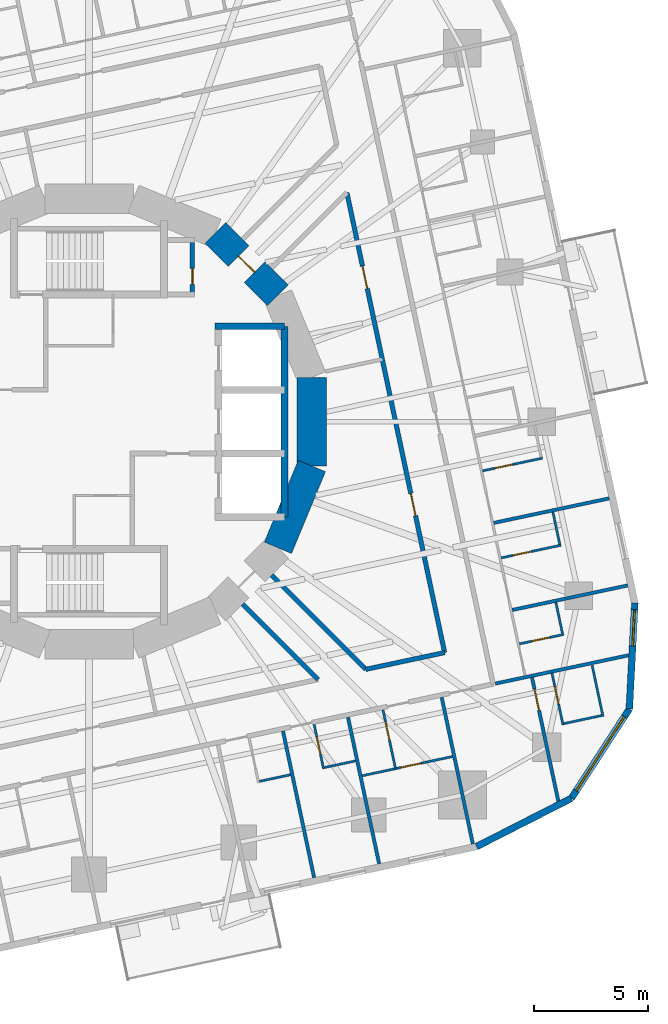
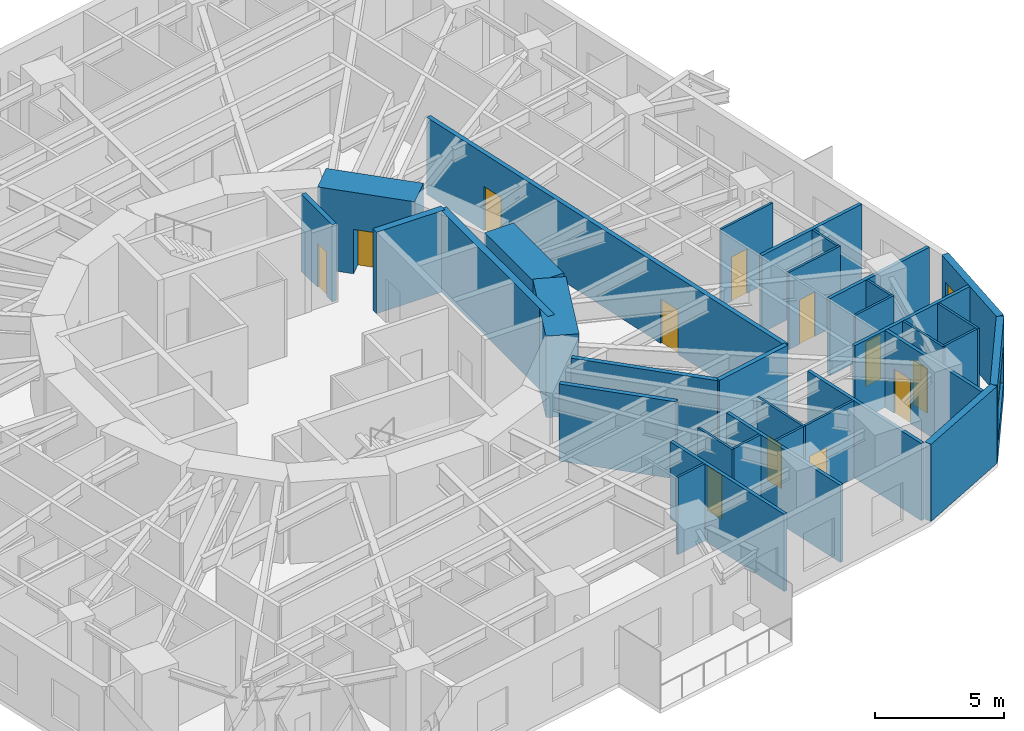
# One storey, part 8 of 14: 34 walls, 12 doors, 2 windows, 14 openings.
"""IFC4 building model written with IfcOpenShell, lengths in metres."""

from ifc_helpers import new_model, si_unit, direction, frame, frame_2d, origin, place, context, subcontext, project, spatial, rectangle, extrude, material, layer, layer_set, type_object, element, fill, save


model = new_model("IFC4")

# Units and contexts
model_context = context("Model", 3, precision=1e-05, world=origin(), true_north=direction((0.0, 1.0)))
body_context = subcontext(model_context, "Body", "Model", "MODEL_VIEW")
ifc_project = project(units=[si_unit("LENGTHUNIT", "METRE"), si_unit("AREAUNIT", "SQUARE_METRE"), si_unit("VOLUMEUNIT", "CUBIC_METRE"), si_unit("PLANEANGLEUNIT", "RADIAN"), si_unit("MASSUNIT", "GRAM", prefix="KILO")], contexts=[model_context])

# Site, building, storey
site_placement = place(None, origin())
site = spatial("IfcSite", under=ifc_project, at=site_placement, CompositionType="ELEMENT")
building_placement = place(site_placement, origin())
building = spatial("IfcBuilding", under=site, at=building_placement, Name="Nakasero Lantern House", CompositionType="ELEMENT")
storey_placement = place(building_placement, frame((0.0, 0.0, 108.85009765625)))
storey = spatial("IfcBuildingStorey", under=building, at=storey_placement, Name="L26", CompositionType="ELEMENT", Elevation=108.85009765625)

# Walls
ifc_material_1 = material(Name="Concrete C50/60", Category="concrete")
ifc_layer_1 = layer(ifc_material_1, 0.300048828125)
ifc_layer_set_1 = layer_set([ifc_layer_1], Name="Core inner wall 300")
wall_type_1 = type_object("IfcWallType", Name="Core inner wall 300", PredefinedType="SHEAR", material=ifc_layer_set_1)
wall_1_placement = place(storey_placement, frame((5.550048828125, 4.199951171875, 0.0), z_axis=(0.0, 0.0, 1.0), x_axis=(1.0, 0.0, 0.0)))
element("IfcWall", 1, at=wall_1_placement, inside=storey, type_object=wall_type_1, Name="Core inner wall L26 LEN", PredefinedType="SHEAR", context=body_context, shape_type="SweptSolid", body=[
    extrude(rectangle(XDim=3.050048828125, YDim=0.300048828125, at=frame_2d((1.52490234375, 0.0))), origin(), (0.0, 0.0, 1.0), 3.849853515625),
])
wall_2_placement = place(storey_placement, frame((8.60009765625, -4.199951171875, 0.0), z_axis=(0.0, 0.0, 1.0), x_axis=(0.0, 1.0, 0.0)))
element("IfcWall", 2, at=wall_2_placement, inside=storey, type_object=wall_type_1, Name="Core inner wall L26 LEB", PredefinedType="SHEAR", context=body_context, shape_type="SweptSolid", body=[
    extrude(rectangle(XDim=8.39990234375, YDim=0.300048828125, at=frame_2d((4.199951171875, 0.0))), origin(), (0.0, 0.0, 1.0), 3.849853515625),
])

# Wall, opening, door
ifc_material_2 = material(Name="Concrete C50/60", Category="concrete")
ifc_layer_2 = layer(ifc_material_2, 1.300048828125)
ifc_layer_set_2 = layer_set([ifc_layer_2], Name="Core wall 1300")
wall_type_2 = type_object("IfcWallType", Name="Core wall 1300", PredefinedType="SHEAR", material=ifc_layer_set_2)
wall_3_placement = place(storey_placement, frame((8.314697265625, 5.5556640625, 0.0), z_axis=(0.0, 0.0, 1.0), x_axis=(-0.707106781187, 0.707106781187, 0.0)))
wall_3 = element("IfcWall", 3, at=wall_3_placement, inside=storey, type_object=wall_type_2, Name="Core wall L26 facet 2", PredefinedType="SHEAR", context=body_context, shape_type="SweptSolid", body=[
    extrude(rectangle(XDim=3.90185546875, YDim=1.300048828125, at=frame_2d((1.950927734375, 0.0))), origin(), (0.0, 0.0, 1.0), 3.849853515625),
])
opening_1_placement = place(wall_3_placement, frame((1.450927734375, 0.0, 0.0)))
opening_1 = element("IfcOpeningElement", 4, at=opening_1_placement, cuts=wall_3, Name="Opening D05", PredefinedType="OPENING", context=body_context, shape_type="SweptSolid", body=[
    extrude(rectangle(XDim=1.0, YDim=2.10009765625, at=frame_2d((0.5, 1.050048828125))), frame((0.0, 0.669921875, 0.0), z_axis=(0.0, -1.0, 0.0), x_axis=(1.0, 0.0, 0.0)), (0.0, 0.0, 1.0), 1.340087890625),
])
ifc_material_3 = material(Name="Timber C24", Category="wood")
door_type_1 = type_object("IfcDoorType", Name="Core door FD60S 1000", OperationType="SINGLE_SWING_LEFT", PredefinedType="DOOR", material=ifc_material_3)
door_1_placement = place(opening_1_placement, origin())
door_1 = element("IfcDoor", 5, at=door_1_placement, inside=storey, type_object=door_type_1, Name="Door L26 D-CORE02", OperationType="SINGLE_SWING_LEFT", OverallHeight=2.10009765625, OverallWidth=1.0, PredefinedType="DOOR", context=body_context, shape_type="SweptSolid", body=[
    extrude(rectangle(XDim=1.0, YDim=2.10009765625, at=frame_2d((0.5, 1.050048828125))), frame((0.0, 0.02490234375, 0.0), z_axis=(0.0, -1.0, 0.0), x_axis=(1.0, 0.0, 0.0)), (0.0, 0.0, 1.0), 0.050048828125),
])
fill(opening_1, door_1)

# Walls
for number, where, z_axis, x_axis, name in (
    (6, (8.314697265625, -5.5556640625, 0.0), (0.0, 0.0, 1.0), (0.382690736062, 0.923876507187, 0.0), "Core wall L26 facet 15"),
    (7, (9.807861328125, -1.950927734375, 0.0), (0.0, 0.0, 1.0), (0.0, 1.0, 0.0), "Core wall L26 facet 16"),
):
    element("IfcWall", number, at=place(storey_placement, frame(where, z_axis=z_axis, x_axis=x_axis)), inside=storey, type_object=wall_type_2, Name=name, PredefinedType="SHEAR", context=body_context, shape_type="SweptSolid", body=[
        extrude(rectangle(XDim=3.90185546875, YDim=1.300048828125, at=frame_2d((1.950927734375, 0.0))), origin(), (0.0, 0.0, 1.0), 3.849853515625),
    ])

# Wall, openings, doors
ifc_material_4 = material(Name="Blockwork", Category="masonry")
ifc_layer_3 = layer(ifc_material_4, 0.199951171875)
ifc_layer_set_3 = layer_set([ifc_layer_3], Name="Corridor wall 200")
wall_type_3 = type_object("IfcWallType", Name="Corridor wall 200", PredefinedType="PARTITIONING", material=ifc_layer_set_3)
wall_4_placement = place(storey_placement, frame((15.656005859375, -10.1669921875, 0.0), z_axis=(0.0, 0.0, 1.0), x_axis=(-0.207919413582, 0.978145959178, 0.0)))
wall_4 = element("IfcWall", 8, at=wall_4_placement, inside=storey, type_object=wall_type_3, Name="Corridor wall L26 IW0-0", PredefinedType="PARTITIONING", context=body_context, shape_type="SweptSolid", body=[
    extrude(rectangle(XDim=20.698974609375, YDim=0.199951171875, at=frame_2d((10.349609375, 0.0))), origin(), (0.0, 0.0, 1.0), 3.64990234375),
])
opening_2_placement = place(wall_4_placement, frame((6.16259765625, 0.0, 0.0)))
opening_2 = element("IfcOpeningElement", 9, at=opening_2_placement, cuts=wall_4, Name="Opening D07", PredefinedType="OPENING", context=body_context, shape_type="SweptSolid", body=[
    extrude(rectangle(XDim=1.0, YDim=2.10009765625, at=frame_2d((0.5, 1.050048828125))), frame((0.0, 0.119873046875, 0.0), z_axis=(0.0, -1.0, 0.0), x_axis=(1.0, 0.0, 0.0)), (0.0, 0.0, 1.0), 0.239990234375),
])
opening_3_placement = place(wall_4_placement, frame((16.386962890625, 0.0, 0.0)))
opening_3 = element("IfcOpeningElement", 10, at=opening_3_placement, cuts=wall_4, Name="Opening D07", PredefinedType="OPENING", context=body_context, shape_type="SweptSolid", body=[
    extrude(rectangle(XDim=1.0, YDim=2.10009765625, at=frame_2d((0.5, 1.050048828125))), frame((0.0, 0.119873046875, 0.0), z_axis=(0.0, -1.0, 0.0), x_axis=(1.0, 0.0, 0.0)), (0.0, 0.0, 1.0), 0.239990234375),
])
ifc_material_5 = material(Name="Timber C24", Category="wood")
door_type_2 = type_object("IfcDoorType", Name="Room door FD30S 1000", OperationType="SINGLE_SWING_LEFT", PredefinedType="DOOR", material=ifc_material_5)
door_2_placement = place(opening_2_placement, origin())
door_2 = element("IfcDoor", 11, at=door_2_placement, inside=storey, type_object=door_type_2, Name="Door L26 DI3", OperationType="SINGLE_SWING_LEFT", OverallHeight=2.10009765625, OverallWidth=1.0, PredefinedType="DOOR", context=body_context, shape_type="SweptSolid", body=[
    extrude(rectangle(XDim=1.0, YDim=2.10009765625, at=frame_2d((0.5, 1.050048828125))), frame((0.0, 0.02490234375, 0.0), z_axis=(0.0, -1.0, 0.0), x_axis=(1.0, 0.0, 0.0)), (0.0, 0.0, 1.0), 0.050048828125),
])
fill(opening_2, door_2)
door_3_placement = place(opening_3_placement, origin())
door_3 = element("IfcDoor", 12, at=door_3_placement, inside=storey, type_object=door_type_2, Name="Door L26 DI4", OperationType="SINGLE_SWING_RIGHT", OverallHeight=2.10009765625, OverallWidth=1.0, PredefinedType="DOOR", context=body_context, shape_type="SweptSolid", body=[
    extrude(rectangle(XDim=1.0, YDim=2.10009765625, at=frame_2d((0.5, 1.050048828125))), frame((0.0, 0.02490234375, 0.0), z_axis=(0.0, -1.0, 0.0), x_axis=(1.0, 0.0, 0.0)), (0.0, 0.0, 1.0), 0.050048828125),
])
fill(opening_3, door_3)

# Walls
wall_5_placement = place(storey_placement, frame((12.178955078125, -10.90625, 0.0), z_axis=(0.0, 0.0, 1.0), x_axis=(0.978136852319, 0.207962251708, 0.0)))
element("IfcWall", 13, at=wall_5_placement, inside=storey, type_object=wall_type_3, Name="Corridor wall L26 IW3-1", PredefinedType="PARTITIONING", context=body_context, shape_type="SweptSolid", body=[
    extrude(rectangle(XDim=3.5546875, YDim=0.199951171875, at=frame_2d((1.77734375, 0.0))), origin(), (0.0, 0.0, 1.0), 3.64990234375),
])
wall_6_placement = place(storey_placement, frame((8.03125, -6.758544921875, 0.0), z_axis=(0.0, 0.0, 1.0), x_axis=(0.707106781187, -0.707106781187, 0.0)))
element("IfcWall", 14, at=wall_6_placement, inside=storey, type_object=wall_type_3, Name="Corridor wall L26 PS14a", PredefinedType="PARTITIONING", context=body_context, shape_type="SweptSolid", body=[
    extrude(rectangle(XDim=5.86572265625, YDim=0.199951171875, at=frame_2d((2.932861328125, 0.0))), origin(), (0.0, 0.0, 1.0), 3.64990234375),
])
wall_7_placement = place(storey_placement, frame((6.758544921875, -8.03125, 0.0), z_axis=(0.0, 0.0, 1.0), x_axis=(0.707106781187, -0.707106781187, 0.0)))
element("IfcWall", 15, at=wall_7_placement, inside=storey, type_object=wall_type_3, Name="Corridor wall L26 PS14b", PredefinedType="PARTITIONING", context=body_context, shape_type="SweptSolid", body=[
    extrude(rectangle(XDim=4.69677734375, YDim=0.199951171875, at=frame_2d((2.348388671875, 0.0))), origin(), (0.0, 0.0, 1.0), 3.64990234375),
])

# Wall, opening, door
ifc_material_6 = material(Name="Blockwork", Category="masonry")
ifc_layer_4 = layer(ifc_material_6, 0.10009765625)
ifc_layer_set_4 = layer_set([ifc_layer_4], Name="En-suite wall 100")
wall_type_4 = type_object("IfcWallType", Name="En-suite wall 100", PredefinedType="PARTITIONING", material=ifc_layer_set_4)
wall_8_placement = place(storey_placement, frame((18.947998046875, -9.783203125, 0.0), z_axis=(0.0, 0.0, 1.0), x_axis=(0.978128127149, 0.208003285743, 0.0)))
wall_8 = element("IfcWall", 16, at=wall_8_placement, inside=storey, type_object=wall_type_4, Name="En-suite wall L26 ES0-00", PredefinedType="PARTITIONING", context=body_context, shape_type="SweptSolid", body=[
    extrude(rectangle(XDim=2.0, YDim=0.10009765625, at=frame_2d((1.0, 0.0))), origin(), (0.0, 0.0, 1.0), 3.64990234375),
])
opening_4_placement = place(wall_8_placement, frame((0.550048828125, 0.0, 0.0)))
opening_4 = element("IfcOpeningElement", 17, at=opening_4_placement, cuts=wall_8, Name="Opening D02", PredefinedType="OPENING", context=body_context, shape_type="SweptSolid", body=[
    extrude(rectangle(XDim=0.800048828125, YDim=2.10009765625, at=frame_2d((0.39990234375, 1.050048828125))), frame((0.0, 0.070068359375, 0.0), z_axis=(0.0, -1.0, 0.0), x_axis=(1.0, 0.0, 0.0)), (0.0, 0.0, 1.0), 0.14013671875),
])
ifc_material_7 = material(Name="Timber C24", Category="wood")
door_type_3 = type_object("IfcDoorType", Name="En-suite door 800", OperationType="SINGLE_SWING_RIGHT", PredefinedType="DOOR", material=ifc_material_7)
door_4_placement = place(opening_4_placement, origin())
door_4 = element("IfcDoor", 18, at=door_4_placement, inside=storey, type_object=door_type_3, Name="Door L26 DE0-00", OperationType="SINGLE_SWING_LEFT", OverallHeight=2.10009765625, OverallWidth=0.800048828125, PredefinedType="DOOR", context=body_context, shape_type="SweptSolid", body=[
    extrude(rectangle(XDim=0.800048828125, YDim=2.10009765625, at=frame_2d((0.39990234375, 1.050048828125))), frame((0.0, 0.02490234375, 0.0), z_axis=(0.0, -1.0, 0.0), x_axis=(1.0, 0.0, 0.0)), (0.0, 0.0, 1.0), 0.050048828125),
])
fill(opening_4, door_4)

# Wall
wall_9_placement = place(storey_placement, frame((20.844970703125, -9.328857421875, 0.0), z_axis=(0.0, 0.0, 1.0), x_axis=(-0.207873355681, 0.978155748334, 0.0)))
element("IfcWall", 19, at=wall_9_placement, inside=storey, type_object=wall_type_4, Name="En-suite wall L26 EE0-00", PredefinedType="PARTITIONING", context=body_context, shape_type="SweptSolid", body=[
    extrude(rectangle(XDim=1.39990234375, YDim=0.10009765625, at=frame_2d((0.699951171875, 0.0))), origin(), (0.0, 0.0, 1.0), 3.64990234375),
])

# Wall, opening, door
wall_10_placement = place(storey_placement, frame((18.1435546875, -5.998291015625, 0.0), z_axis=(0.0, 0.0, 1.0), x_axis=(0.978137244908, 0.207960405185, 0.0)))
wall_10 = element("IfcWall", 20, at=wall_10_placement, inside=storey, type_object=wall_type_4, Name="En-suite wall L26 ES0-01", PredefinedType="PARTITIONING", context=body_context, shape_type="SweptSolid", body=[
    extrude(rectangle(XDim=2.7001953125, YDim=0.10009765625, at=frame_2d((1.35009765625, 0.0))), origin(), (0.0, 0.0, 1.0), 3.64990234375),
])
opening_5_placement = place(wall_10_placement, frame((0.550048828125, 0.0, 0.0)))
opening_5 = element("IfcOpeningElement", 21, at=opening_5_placement, cuts=wall_10, Name="Opening D02", PredefinedType="OPENING", context=body_context, shape_type="SweptSolid", body=[
    extrude(rectangle(XDim=0.800048828125, YDim=2.10009765625, at=frame_2d((0.39990234375, 1.050048828125))), frame((0.0, 0.070068359375, 0.0), z_axis=(0.0, -1.0, 0.0), x_axis=(1.0, 0.0, 0.0)), (0.0, 0.0, 1.0), 0.14013671875),
])
door_5_placement = place(opening_5_placement, origin())
door_5 = element("IfcDoor", 22, at=door_5_placement, inside=storey, type_object=door_type_3, Name="Door L26 DE0-01", OperationType="SINGLE_SWING_LEFT", OverallHeight=2.10009765625, OverallWidth=0.800048828125, PredefinedType="DOOR", context=body_context, shape_type="SweptSolid", body=[
    extrude(rectangle(XDim=0.800048828125, YDim=2.10009765625, at=frame_2d((0.39990234375, 1.050048828125))), frame((0.0, 0.02490234375, 0.0), z_axis=(0.0, -1.0, 0.0), x_axis=(1.0, 0.0, 0.0)), (0.0, 0.0, 1.0), 0.050048828125),
])
fill(opening_5, door_5)

# Wall
wall_11_placement = place(storey_placement, frame((20.725341796875, -5.398193359375, 0.0), z_axis=(0.0, 0.0, 1.0), x_axis=(-0.207953405961, 0.978138732977, 0.0)))
element("IfcWall", 23, at=wall_11_placement, inside=storey, type_object=wall_type_4, Name="En-suite wall L26 EE0-01", PredefinedType="PARTITIONING", context=body_context, shape_type="SweptSolid", body=[
    extrude(rectangle(XDim=1.449951171875, YDim=0.10009765625, at=frame_2d((0.72509765625, 0.0))), origin(), (0.0, 0.0, 1.0), 3.64990234375),
])

# Wall, opening, door
wall_12_placement = place(storey_placement, frame((17.32861328125, -2.164306640625, 0.0), z_axis=(0.0, 0.0, 1.0), x_axis=(0.97815563361, 0.207873895514, 0.0)))
wall_12 = element("IfcWall", 24, at=wall_12_placement, inside=storey, type_object=wall_type_4, Name="En-suite wall L26 ES0-02", PredefinedType="PARTITIONING", context=body_context, shape_type="SweptSolid", body=[
    extrude(rectangle(XDim=2.7001953125, YDim=0.10009765625, at=frame_2d((1.35009765625, 0.0))), origin(), (0.0, 0.0, 1.0), 3.64990234375),
])
opening_6_placement = place(wall_12_placement, frame((0.550048828125, 0.0, 0.0)))
opening_6 = element("IfcOpeningElement", 25, at=opening_6_placement, cuts=wall_12, Name="Opening D02", PredefinedType="OPENING", context=body_context, shape_type="SweptSolid", body=[
    extrude(rectangle(XDim=0.800048828125, YDim=2.10009765625, at=frame_2d((0.39990234375, 1.050048828125))), frame((0.0, 0.070068359375, 0.0), z_axis=(0.0, -1.0, 0.0), x_axis=(1.0, 0.0, 0.0)), (0.0, 0.0, 1.0), 0.14013671875),
])
door_6_placement = place(opening_6_placement, origin())
door_6 = element("IfcDoor", 26, at=door_6_placement, inside=storey, type_object=door_type_3, Name="Door L26 DE0-02", OperationType="SINGLE_SWING_LEFT", OverallHeight=2.10009765625, OverallWidth=0.800048828125, PredefinedType="DOOR", context=body_context, shape_type="SweptSolid", body=[
    extrude(rectangle(XDim=0.800048828125, YDim=2.10009765625, at=frame_2d((0.39990234375, 1.050048828125))), frame((0.0, 0.02490234375, 0.0), z_axis=(0.0, -1.0, 0.0), x_axis=(1.0, 0.0, 0.0)), (0.0, 0.0, 1.0), 0.050048828125),
])
fill(opening_6, door_6)

# Wall
wall_13_placement = place(storey_placement, frame((7.50048828125, -15.836669921875, 0.0), z_axis=(0.0, 0.0, 1.0), x_axis=(0.978155748334, 0.207873355681, 0.0)))
element("IfcWall", 27, at=wall_13_placement, inside=storey, type_object=wall_type_4, Name="En-suite wall L26 EE3-05", PredefinedType="PARTITIONING", context=body_context, shape_type="SweptSolid", body=[
    extrude(rectangle(XDim=1.39990234375, YDim=0.10009765625, at=frame_2d((0.699951171875, 0.0))), origin(), (0.0, 0.0, 1.0), 3.64990234375),
])

# Wall, opening, door
wall_14_placement = place(storey_placement, frame((9.908447265625, -13.331298828125, 0.0), z_axis=(0.0, 0.0, 1.0), x_axis=(0.208003285743, -0.978128127149, 0.0)))
wall_14 = element("IfcWall", 28, at=wall_14_placement, inside=storey, type_object=wall_type_4, Name="En-suite wall L26 ES3-06", PredefinedType="PARTITIONING", context=body_context, shape_type="SweptSolid", body=[
    extrude(rectangle(XDim=2.0, YDim=0.10009765625, at=frame_2d((1.0, 0.0))), origin(), (0.0, 0.0, 1.0), 3.64990234375),
])
opening_7_placement = place(wall_14_placement, frame((0.550048828125, 0.0, 0.0)))
opening_7 = element("IfcOpeningElement", 29, at=opening_7_placement, cuts=wall_14, Name="Opening D02", PredefinedType="OPENING", context=body_context, shape_type="SweptSolid", body=[
    extrude(rectangle(XDim=0.800048828125, YDim=2.10009765625, at=frame_2d((0.39990234375, 1.050048828125))), frame((0.0, 0.070068359375, 0.0), z_axis=(0.0, -1.0, 0.0), x_axis=(1.0, 0.0, 0.0)), (0.0, 0.0, 1.0), 0.14013671875),
])
door_7_placement = place(opening_7_placement, origin())
door_7 = element("IfcDoor", 30, at=door_7_placement, inside=storey, type_object=door_type_3, Name="Door L26 DE3-06", OperationType="SINGLE_SWING_LEFT", OverallHeight=2.10009765625, OverallWidth=0.800048828125, PredefinedType="DOOR", context=body_context, shape_type="SweptSolid", body=[
    extrude(rectangle(XDim=0.800048828125, YDim=2.10009765625, at=frame_2d((0.39990234375, 1.050048828125))), frame((0.0, 0.02490234375, 0.0), z_axis=(0.0, -1.0, 0.0), x_axis=(1.0, 0.0, 0.0)), (0.0, 0.0, 1.0), 0.050048828125),
])
fill(opening_7, door_7)

# Wall
wall_15_placement = place(storey_placement, frame((10.36279296875, -15.228271484375, 0.0), z_axis=(0.0, 0.0, 1.0), x_axis=(0.978155748334, 0.207873355681, 0.0)))
element("IfcWall", 31, at=wall_15_placement, inside=storey, type_object=wall_type_4, Name="En-suite wall L26 EE3-06", PredefinedType="PARTITIONING", context=body_context, shape_type="SweptSolid", body=[
    extrude(rectangle(XDim=1.39990234375, YDim=0.10009765625, at=frame_2d((0.699951171875, 0.0))), origin(), (0.0, 0.0, 1.0), 3.64990234375),
])

# Wall, opening, door
wall_16_placement = place(storey_placement, frame((12.940673828125, -12.686767578125, 0.0), z_axis=(0.0, 0.0, 1.0), x_axis=(0.207978798957, -0.978133334052, 0.0)))
wall_16 = element("IfcWall", 32, at=wall_16_placement, inside=storey, type_object=wall_type_4, Name="En-suite wall L26 ES3-07", PredefinedType="PARTITIONING", context=body_context, shape_type="SweptSolid", body=[
    extrude(rectangle(XDim=2.699951171875, YDim=0.10009765625, at=frame_2d((1.35009765625, 0.0))), origin(), (0.0, 0.0, 1.0), 3.64990234375),
])
opening_8_placement = place(wall_16_placement, frame((0.550048828125, 0.0, 0.0)))
opening_8 = element("IfcOpeningElement", 33, at=opening_8_placement, cuts=wall_16, Name="Opening D02", PredefinedType="OPENING", context=body_context, shape_type="SweptSolid", body=[
    extrude(rectangle(XDim=0.800048828125, YDim=2.10009765625, at=frame_2d((0.39990234375, 1.050048828125))), frame((0.0, 0.070068359375, 0.0), z_axis=(0.0, -1.0, 0.0), x_axis=(1.0, 0.0, 0.0)), (0.0, 0.0, 1.0), 0.14013671875),
])
door_8_placement = place(opening_8_placement, origin())
door_8 = element("IfcDoor", 34, at=door_8_placement, inside=storey, type_object=door_type_3, Name="Door L26 DE3-07", OperationType="SINGLE_SWING_LEFT", OverallHeight=2.10009765625, OverallWidth=0.800048828125, PredefinedType="DOOR", context=body_context, shape_type="SweptSolid", body=[
    extrude(rectangle(XDim=0.800048828125, YDim=2.10009765625, at=frame_2d((0.39990234375, 1.050048828125))), frame((0.0, 0.02490234375, 0.0), z_axis=(0.0, -1.0, 0.0), x_axis=(1.0, 0.0, 0.0)), (0.0, 0.0, 1.0), 0.050048828125),
])
fill(opening_8, door_8)

# Wall
wall_17_placement = place(storey_placement, frame((12.024658203125, -15.590576171875, 0.0), z_axis=(0.0, 0.0, 1.0), x_axis=(0.978138732977, 0.207953405961, 0.0)))
element("IfcWall", 35, at=wall_17_placement, inside=storey, type_object=wall_type_4, Name="En-suite wall L26 EE3-07", PredefinedType="PARTITIONING", context=body_context, shape_type="SweptSolid", body=[
    extrude(rectangle(XDim=1.449951171875, YDim=0.10009765625, at=frame_2d((0.72509765625, 0.0))), origin(), (0.0, 0.0, 1.0), 3.64990234375),
])

# Wall, opening, door
wall_18_placement = place(storey_placement, frame((20.382568359375, -11.069091796875, 0.0), z_axis=(0.0, 0.0, 1.0), x_axis=(0.207965047255, -0.978136257952, 0.0)))
wall_18 = element("IfcWall", 36, at=wall_18_placement, inside=storey, type_object=wall_type_4, Name="En-suite wall L26 ES3-08", PredefinedType="PARTITIONING", context=body_context, shape_type="SweptSolid", body=[
    extrude(rectangle(XDim=2.3349609375, YDim=0.10009765625, at=frame_2d((1.16748046875, 0.0))), origin(), (0.0, 0.0, 1.0), 3.64990234375),
])
opening_9_placement = place(wall_18_placement, frame((0.5849609375, 0.0, 0.0)))
opening_9 = element("IfcOpeningElement", 37, at=opening_9_placement, cuts=wall_18, Name="Opening D02", PredefinedType="OPENING", context=body_context, shape_type="SweptSolid", body=[
    extrude(rectangle(XDim=0.800048828125, YDim=2.10009765625, at=frame_2d((0.39990234375, 1.050048828125))), frame((0.0, 0.070068359375, 0.0), z_axis=(0.0, -1.0, 0.0), x_axis=(1.0, 0.0, 0.0)), (0.0, 0.0, 1.0), 0.14013671875),
])
door_9_placement = place(opening_9_placement, origin())
door_9 = element("IfcDoor", 38, at=door_9_placement, inside=storey, type_object=door_type_3, Name="Door L26 DE3-08", OperationType="SINGLE_SWING_LEFT", OverallHeight=2.10009765625, OverallWidth=0.800048828125, PredefinedType="DOOR", context=body_context, shape_type="SweptSolid", body=[
    extrude(rectangle(XDim=0.800048828125, YDim=2.10009765625, at=frame_2d((0.39990234375, 1.050048828125))), frame((0.0, 0.02490234375, 0.0), z_axis=(0.0, -1.0, 0.0), x_axis=(1.0, 0.0, 0.0)), (0.0, 0.0, 1.0), 0.050048828125),
])
fill(opening_9, door_9)

# Walls
wall_19_placement = place(storey_placement, frame((20.906494140625, -13.293701171875, 0.0), z_axis=(0.0, 0.0, 1.0), x_axis=(0.978168704767, 0.207812379357, 0.0)))
element("IfcWall", 39, at=wall_19_placement, inside=storey, type_object=wall_type_4, Name="En-suite wall L26 EE3-08", PredefinedType="PARTITIONING", context=body_context, shape_type="SweptSolid", body=[
    extrude(rectangle(XDim=1.699951171875, YDim=0.10009765625, at=frame_2d((0.85009765625, 0.0))), origin(), (0.0, 0.0, 1.0), 3.64990234375),
])
wall_20_placement = place(storey_placement, frame((22.150634765625, -10.72900390625, 0.0), z_axis=(0.0, 0.0, 1.0), x_axis=(0.207839712757, -0.978162897375, 0.0)))
element("IfcWall", 40, at=wall_20_placement, inside=storey, type_object=wall_type_4, Name="En-suite wall L26 EV3-08", PredefinedType="PARTITIONING", context=body_context, shape_type="SweptSolid", body=[
    extrude(rectangle(XDim=2.300048828125, YDim=0.10009765625, at=frame_2d((1.14990234375, 0.0))), origin(), (0.0, 0.0, 1.0), 3.64990234375),
])

# Wall, opening, door
wall_21_placement = place(storey_placement, frame((13.540771484375, -15.268310546875, 0.0), z_axis=(0.0, 0.0, 1.0), x_axis=(0.978157126054, 0.207866872659, 0.0)))
wall_21 = element("IfcWall", 41, at=wall_21_placement, inside=storey, type_object=wall_type_4, Name="En-suite wall L26 EL3-07", PredefinedType="PARTITIONING", context=body_context, shape_type="SweptSolid", body=[
    extrude(rectangle(XDim=2.51806640625, YDim=0.10009765625, at=frame_2d((1.259033203125, 0.0))), origin(), (0.0, 0.0, 1.0), 3.64990234375),
])
opening_10_placement = place(wall_21_placement, frame((0.199951171875, 0.0, 0.0)))
opening_10 = element("IfcOpeningElement", 42, at=opening_10_placement, cuts=wall_21, Name="Opening D17", PredefinedType="OPENING", context=body_context, shape_type="SweptSolid", body=[
    extrude(rectangle(XDim=0.89990234375, YDim=2.10009765625, at=frame_2d((0.449951171875, 1.050048828125))), frame((0.0, 0.070068359375, 0.0), z_axis=(0.0, -1.0, 0.0), x_axis=(1.0, 0.0, 0.0)), (0.0, 0.0, 1.0), 0.14013671875),
])
ifc_material_8 = material(Name="Timber C24", Category="wood")
door_type_4 = type_object("IfcDoorType", Name="Bedroom door FD30S 900", OperationType="SINGLE_SWING_LEFT", PredefinedType="DOOR", material=ifc_material_8)
door_10_placement = place(opening_10_placement, origin())
door_10 = element("IfcDoor", 43, at=door_10_placement, inside=storey, type_object=door_type_4, Name="Door L26 DL3-07", OperationType="SINGLE_SWING_LEFT", OverallHeight=2.10009765625, OverallWidth=0.89990234375, PredefinedType="DOOR", context=body_context, shape_type="SweptSolid", body=[
    extrude(rectangle(XDim=0.89990234375, YDim=2.10009765625, at=frame_2d((0.449951171875, 1.050048828125))), frame((0.0, 0.02490234375, 0.0), z_axis=(0.0, -1.0, 0.0), x_axis=(1.0, 0.0, 0.0)), (0.0, 0.0, 1.0), 0.050048828125),
])
fill(opening_10, door_10)

# Wall
ifc_material_9 = material(Name="Aluminium rainscreen on blockwork", Category="masonry")
ifc_layer_5 = layer(ifc_material_9, 0.300048828125)
ifc_layer_set_5 = layer_set([ifc_layer_5], Name="Facade wall 300")
wall_type_5 = type_object("IfcWallType", Name="Facade wall 300", PredefinedType="SOLIDWALL", material=ifc_layer_set_5)
wall_22_placement = place(storey_placement, frame((17.063232421875, -18.711181640625, 0.0), z_axis=(0.0, 0.0, 1.0), x_axis=(0.89101404178, 0.453975745332, 0.0)))
element("IfcWall", 44, at=wall_22_placement, inside=storey, type_object=wall_type_5, Name="Facade wall L26 FW3C1", PredefinedType="SOLIDWALL", context=body_context, shape_type="SweptSolid", body=[
    extrude(rectangle(XDim=4.6845703125, YDim=0.300048828125, at=frame_2d((2.34228515625, 0.0))), origin(), (0.0, 0.0, 1.0), 3.64990234375),
])

# Wall, opening, window
wall_23_placement = place(storey_placement, frame((21.2373046875, -16.58447265625, 0.0), z_axis=(0.0, 0.0, 1.0), x_axis=(0.544605442853, 0.838692381994, 0.0)))
wall_23 = element("IfcWall", 45, at=wall_23_placement, inside=storey, type_object=wall_type_5, Name="Facade wall L26 FW3C2", PredefinedType="SOLIDWALL", context=body_context, shape_type="SweptSolid", body=[
    extrude(rectangle(XDim=4.6845703125, YDim=0.300048828125, at=frame_2d((2.34228515625, 0.0))), origin(), (0.0, 0.0, 1.0), 3.64990234375),
])
opening_11_placement = place(wall_23_placement, frame((0.39990234375, 0.0, 0.75)))
opening_11 = element("IfcOpeningElement", 46, at=opening_11_placement, cuts=wall_23, Name="Opening W238", PredefinedType="OPENING", context=body_context, shape_type="SweptSolid", body=[
    extrude(rectangle(XDim=3.885009765625, YDim=1.800048828125, at=frame_2d((1.9423828125, 0.89990234375))), frame((0.0, 0.169921875, 0.0), z_axis=(0.0, -1.0, 0.0), x_axis=(1.0, 0.0, 0.0)), (0.0, 0.0, 1.0), 0.340087890625),
])
ifc_material_10 = material(Name="Aluminium 6063-T6 and glass", Category="aluminium")
window_type_1 = type_object("IfcWindowType", Name="Corner window 3885x1800", PartitioningType="SINGLE_PANEL", PredefinedType="WINDOW", material=ifc_material_10)
window_1_placement = place(opening_11_placement, origin())
window_1 = element("IfcWindow", 47, at=window_1_placement, inside=storey, type_object=window_type_1, Name="Window L26 WC3", OverallHeight=1.800048828125, OverallWidth=3.885009765625, PartitioningType="SINGLE_PANEL", PredefinedType="WINDOW", context=body_context, shape_type="SweptSolid", body=[
    extrude(rectangle(XDim=3.885009765625, YDim=1.800048828125, at=frame_2d((1.9423828125, 0.89990234375))), frame((0.0, 0.030029296875, 0.0), z_axis=(0.0, -1.0, 0.0), x_axis=(1.0, 0.0, 0.0)), (0.0, 0.0, 1.0), 0.06005859375),
])
fill(opening_11, window_1)

wall_24_placement = place(storey_placement, frame((23.78857421875, -12.655517578125, 0.0), z_axis=(0.0, 0.0, 1.0), x_axis=(0.052326317, 0.998630039879, 0.0)))
wall_24 = element("IfcWall", 48, at=wall_24_placement, inside=storey, type_object=wall_type_5, Name="Facade wall L26 FW3C3", PredefinedType="SOLIDWALL", context=body_context, shape_type="SweptSolid", body=[
    extrude(rectangle(XDim=4.684326171875, YDim=0.300048828125, at=frame_2d((2.34228515625, 0.0))), origin(), (0.0, 0.0, 1.0), 3.64990234375),
])
opening_12_placement = place(wall_24_placement, frame((2.784912109375, 0.0, 0.75)))
opening_12 = element("IfcOpeningElement", 49, at=opening_12_placement, cuts=wall_24, Name="Opening W01", PredefinedType="OPENING", context=body_context, shape_type="SweptSolid", body=[
    extrude(rectangle(XDim=1.60009765625, YDim=1.800048828125, at=frame_2d((0.800048828125, 0.89990234375))), frame((0.0, 0.169921875, 0.0), z_axis=(0.0, -1.0, 0.0), x_axis=(1.0, 0.0, 0.0)), (0.0, 0.0, 1.0), 0.340087890625),
])
ifc_material_11 = material(Name="Aluminium 6063-T6 and glass", Category="aluminium")
window_type_2 = type_object("IfcWindowType", Name="Bedroom window 1600x1800", PartitioningType="SINGLE_PANEL", PredefinedType="WINDOW", material=ifc_material_11)
window_2_placement = place(opening_12_placement, origin())
window_2 = element("IfcWindow", 50, at=window_2_placement, inside=storey, type_object=window_type_2, Name="Window L26 WN0-00", OverallHeight=1.800048828125, OverallWidth=1.60009765625, PartitioningType="SINGLE_PANEL", PredefinedType="WINDOW", context=body_context, shape_type="SweptSolid", body=[
    extrude(rectangle(XDim=1.60009765625, YDim=1.800048828125, at=frame_2d((0.800048828125, 0.89990234375))), frame((0.0, 0.030029296875, 0.0), z_axis=(0.0, -1.0, 0.0), x_axis=(1.0, 0.0, 0.0)), (0.0, 0.0, 1.0), 0.06005859375),
])
fill(opening_12, window_2)

# Wall, opening, door
ifc_material_12 = material(Name="Blockwork", Category="masonry")
ifc_layer_6 = layer(ifc_material_12, 0.199951171875)
ifc_layer_set_6 = layer_set([ifc_layer_6], Name="Fire lobby wall 200")
wall_type_6 = type_object("IfcWallType", Name="Fire lobby wall 200", PredefinedType="PARTITIONING", material=ifc_layer_set_6)
wall_25_placement = place(storey_placement, frame((4.550048828125, 5.60009765625, 0.0), z_axis=(0.0, 0.0, 1.0), x_axis=(0.0, 1.0, 0.0)))
wall_25 = element("IfcWall", 51, at=wall_25_placement, inside=storey, type_object=wall_type_6, Name="Fire lobby wall L26 W-RS1E", PredefinedType="PARTITIONING", context=body_context, shape_type="SweptSolid", body=[
    extrude(rectangle(XDim=2.39990234375, YDim=0.199951171875, at=frame_2d((1.199951171875, 0.0))), origin(), (0.0, 0.0, 1.0), 3.64990234375),
])
opening_13_placement = place(wall_25_placement, frame((0.449951171875, 0.0, 0.0)))
opening_13 = element("IfcOpeningElement", 52, at=opening_13_placement, cuts=wall_25, Name="Opening D06", PredefinedType="OPENING", context=body_context, shape_type="SweptSolid", body=[
    extrude(rectangle(XDim=0.699951171875, YDim=2.10009765625, at=frame_2d((0.35009765625, 1.050048828125))), frame((0.0, 0.119873046875, 0.0), z_axis=(0.0, -1.0, 0.0), x_axis=(1.0, 0.0, 0.0)), (0.0, 0.0, 1.0), 0.239990234375),
])
ifc_material_13 = material(Name="Steel S355", Category="steel")
door_type_5 = type_object("IfcDoorType", Name="Riser door FD60 700", OperationType="SINGLE_SWING_LEFT", PredefinedType="DOOR", material=ifc_material_13)
door_11_placement = place(opening_13_placement, origin())
door_11 = element("IfcDoor", 53, at=door_11_placement, inside=storey, type_object=door_type_5, Name="Door L26 D-RS1", OperationType="SINGLE_SWING_LEFT", OverallHeight=2.10009765625, OverallWidth=0.699951171875, PredefinedType="DOOR", context=body_context, shape_type="SweptSolid", body=[
    extrude(rectangle(XDim=0.699951171875, YDim=2.10009765625, at=frame_2d((0.35009765625, 1.050048828125))), frame((0.0, 0.02490234375, 0.0), z_axis=(0.0, -1.0, 0.0), x_axis=(1.0, 0.0, 0.0)), (0.0, 0.0, 1.0), 0.050048828125),
])
fill(opening_13, door_11)

# Walls
ifc_material_14 = material(Name="Blockwork", Category="masonry")
ifc_layer_7 = layer(ifc_material_14, 0.14990234375)
ifc_layer_set_7 = layer_set([ifc_layer_7], Name="Party wall 150")
wall_type_7 = type_object("IfcWallType", Name="Party wall 150", PredefinedType="PARTITIONING", material=ifc_layer_set_7)
wall_26_placement = place(storey_placement, frame((17.888671875, -11.53271484375, 0.0), z_axis=(0.0, 0.0, 1.0), x_axis=(0.978152955943, 0.207886494942, 0.0)))
element("IfcWall", 54, at=wall_26_placement, inside=storey, type_object=wall_type_7, Name="Party wall L26 PW0-00", PredefinedType="PARTITIONING", context=body_context, shape_type="SweptSolid", body=[
    extrude(rectangle(XDim=6.0, YDim=0.14990234375, at=frame_2d((3.0, 0.0))), origin(), (0.0, 0.0, 1.0), 3.64990234375),
])
for number, where, z_axis, x_axis, name in (
    (55, (18.631103515625, -8.29150390625, 0.0), (0.0, 0.0, 1.0), (0.978139873931, 0.207948039247, 0.0), "Party wall L26 PW0-01"),
    (56, (17.816162109375, -4.45751953125, 0.0), (0.0, 0.0, 1.0), (0.978151452323, 0.207893569688, 0.0), "Party wall L26 PW0-02"),
):
    element("IfcWall", number, at=place(storey_placement, frame(where, z_axis=z_axis, x_axis=x_axis)), inside=storey, type_object=wall_type_7, Name=name, PredefinedType="PARTITIONING", context=body_context, shape_type="SweptSolid", body=[
        extrude(rectangle(XDim=5.199951171875, YDim=0.14990234375, at=frame_2d((2.60009765625, 0.0))), origin(), (0.0, 0.0, 1.0), 3.64990234375),
    ])
for number, where, z_axis, x_axis, name in (
    (57, (8.537841796875, -13.62255859375, 0.0), (0.0, 0.0, 1.0), (0.207889281984, -0.97815236361, 0.0), "Party wall L26 PW3-06"),
    (58, (11.400146484375, -13.01416015625, 0.0), (0.0, 0.0, 1.0), (0.207924673876, -0.978144841009, 0.0), "Party wall L26 PW3-07"),
    (59, (15.526123046875, -12.13720703125, 0.0), (0.0, 0.0, 1.0), (0.207924673876, -0.978144841009, 0.0), "Party wall L26 PW3-08"),
):
    element("IfcWall", number, at=place(storey_placement, frame(where, z_axis=z_axis, x_axis=x_axis)), inside=storey, type_object=wall_type_7, Name=name, PredefinedType="PARTITIONING", context=body_context, shape_type="SweptSolid", body=[
        extrude(rectangle(XDim=6.60009765625, YDim=0.14990234375, at=frame_2d((3.300048828125, 0.0))), origin(), (0.0, 0.0, 1.0), 3.64990234375),
    ])

# Wall, opening, door
wall_27_placement = place(storey_placement, frame((19.502197265625, -11.256103515625, 0.0), z_axis=(0.0, 0.0, 1.0), x_axis=(0.207936339891, -0.978142361087, 0.0)))
wall_27 = element("IfcWall", 60, at=wall_27_placement, inside=storey, type_object=wall_type_7, Name="Party wall L26 PC3", PredefinedType="PARTITIONING", context=body_context, shape_type="SweptSolid", body=[
    extrude(rectangle(XDim=5.570068359375, YDim=0.14990234375, at=frame_2d((2.78515625, 0.0))), origin(), (0.0, 0.0, 1.0), 3.64990234375),
])
opening_14_placement = place(wall_27_placement, frame((0.534912109375, 0.0, 0.0)))
opening_14 = element("IfcOpeningElement", 61, at=opening_14_placement, cuts=wall_27, Name="Opening D01", PredefinedType="OPENING", context=body_context, shape_type="SweptSolid", body=[
    extrude(rectangle(XDim=0.949951171875, YDim=2.10009765625, at=frame_2d((0.47509765625, 1.050048828125))), frame((0.0, 0.094970703125, 0.0), z_axis=(0.0, -1.0, 0.0), x_axis=(1.0, 0.0, 0.0)), (0.0, 0.0, 1.0), 0.18994140625),
])
ifc_material_15 = material(Name="Timber C24", Category="wood")
door_type_6 = type_object("IfcDoorType", Name="Bedroom door FD30S 950", OperationType="SINGLE_SWING_LEFT", PredefinedType="DOOR", material=ifc_material_15)
door_12_placement = place(opening_14_placement, origin())
door_12 = element("IfcDoor", 62, at=door_12_placement, inside=storey, type_object=door_type_6, Name="Door L26 DC3", OperationType="SINGLE_SWING_LEFT", OverallHeight=2.10009765625, OverallWidth=0.949951171875, PredefinedType="DOOR", context=body_context, shape_type="SweptSolid", body=[
    extrude(rectangle(XDim=0.949951171875, YDim=2.10009765625, at=frame_2d((0.47509765625, 1.050048828125))), frame((0.0, 0.02490234375, 0.0), z_axis=(0.0, -1.0, 0.0), x_axis=(1.0, 0.0, 0.0)), (0.0, 0.0, 1.0), 0.050048828125),
])
fill(opening_14, door_12)

save(model, "model.ifc")
